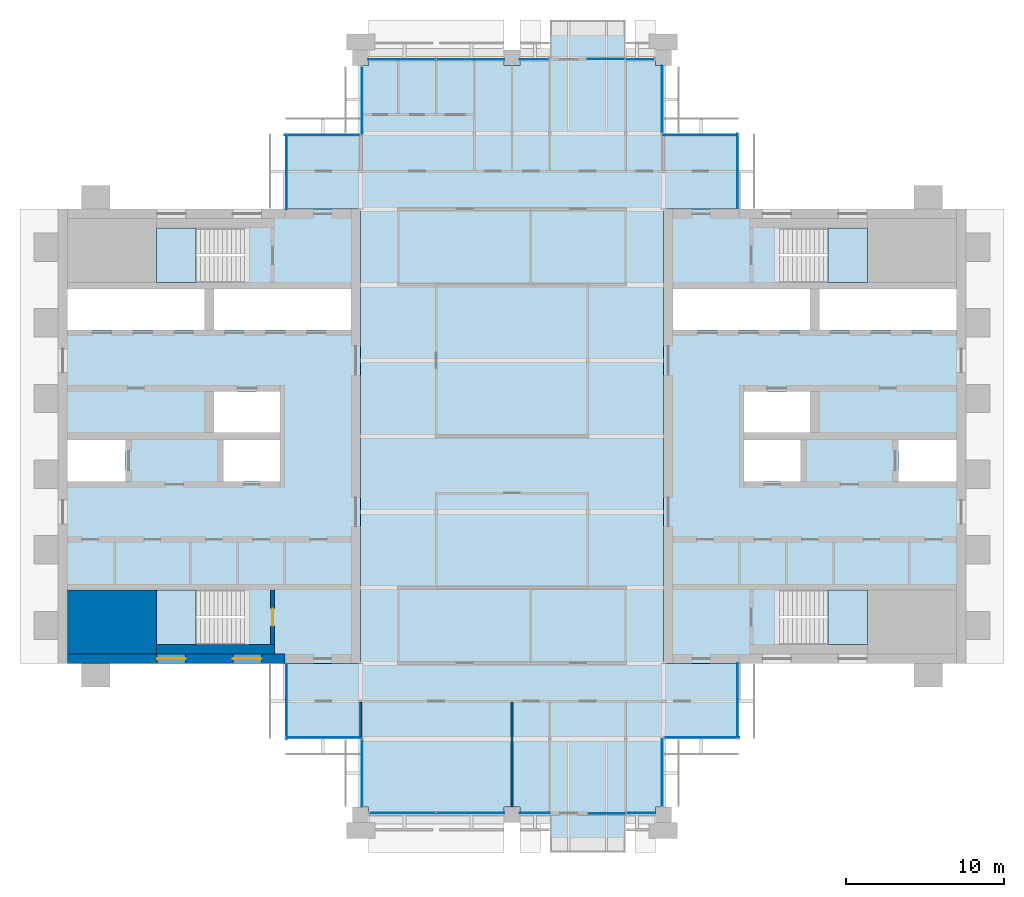
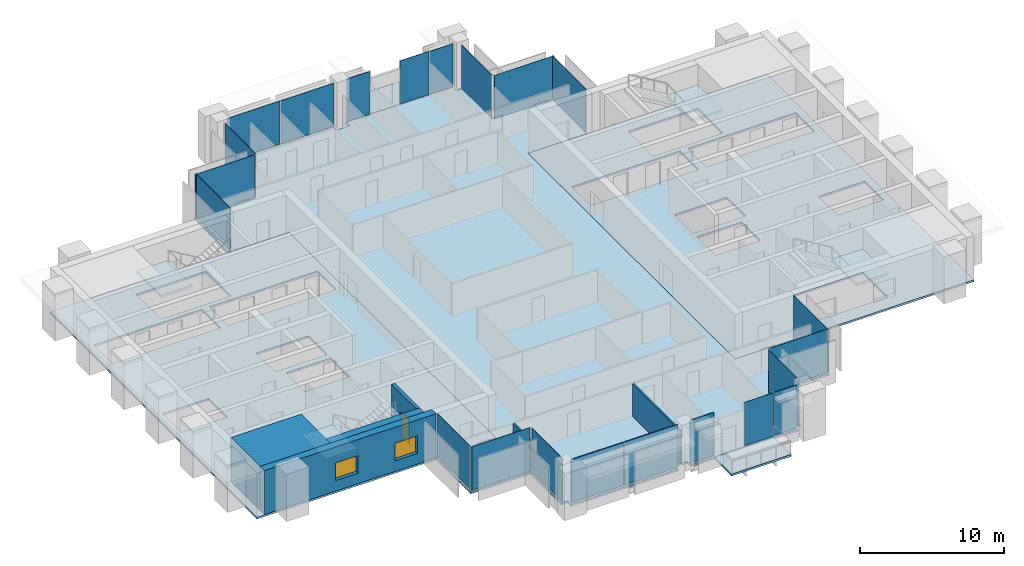
# One storey, part 7 of 13: 22 plates, 9 slabs, 6 walls, 2 windows, 1 door, 3 openings, 22 elements without a shape of their own.
"""IFC4 building model written with IfcOpenShell, lengths in metres."""

from ifc_helpers import new_model, si_unit, direction, frame, frame_2d, origin, origin_2d, place, context, subcontext, project, spatial, polyline, rectangle, outline, extrude, material, layer, layer_set, type_object, element, fill, aggregate, save


model = new_model("IFC4")

# Units and contexts
model_context = context("Model", 3, precision=1e-05, world=origin(), true_north=direction((0.0, 1.0)))
body_context = subcontext(model_context, "Body", "Model", "MODEL_VIEW")
ifc_project = project(units=[si_unit("LENGTHUNIT", "METRE"), si_unit("AREAUNIT", "SQUARE_METRE"), si_unit("VOLUMEUNIT", "CUBIC_METRE"), si_unit("PLANEANGLEUNIT", "RADIAN"), si_unit("MASSUNIT", "GRAM", prefix="KILO")], contexts=[model_context])

# Site, building, storey
site_placement = place(None, origin())
site = spatial("IfcSite", under=ifc_project, at=site_placement, CompositionType="ELEMENT")
building_placement = place(site_placement, origin())
building = spatial("IfcBuilding", under=site, at=building_placement, Name="Baori Bourse Tower", CompositionType="ELEMENT")
storey_placement = place(building_placement, frame((0.0, 0.0, 350.300048828125)))
storey = spatial("IfcBuildingStorey", under=building, at=storey_placement, Name="L78", CompositionType="ELEMENT", Elevation=350.300048828125)

# Slabs
ifc_material_1 = material(Name="Concrete f'c 40 MPa", Category="concrete")
ifc_layer_1 = layer(ifc_material_1, 0.159912109375)
ifc_layer_set_1 = layer_set([ifc_layer_1], Name="BL2 Balcony slab 160")
slab_type_1 = type_object("IfcSlabType", Name="BL2 Balcony slab 160", PredefinedType="FLOOR", material=ifc_layer_set_1)
slab_1_placement = place(storey_placement, frame((0.0, 0.0, -0.16015625)))
element("IfcSlab", 1, at=slab_1_placement, inside=storey, type_object=slab_type_1, Name="Balcony slab L78 S", PredefinedType="FLOOR", context=body_context, shape_type="SweptSolid", body=[
    extrude(outline(polyline([(31.199951171875, 0.0), (31.199951171875, -2.39990234375), (36.0, -2.39990234375), (36.0, 0.0), (31.199951171875, 0.0)])), origin(), (0.0, 0.0, 1.0), 0.16015625),
])
slab_2_placement = place(storey_placement, frame((0.0, 0.0, -0.16015625)))
element("IfcSlab", 2, at=slab_2_placement, inside=storey, type_object=slab_type_1, Name="Balcony slab L78 N", PredefinedType="FLOOR", context=body_context, shape_type="SweptSolid", body=[
    extrude(outline(polyline([(31.199951171875, 48.0), (36.0, 48.0), (36.0, 50.39990234375), (31.199951171875, 50.39990234375), (31.199951171875, 48.0)])), origin(), (0.0, 0.0, 1.0), 0.16015625),
])

# Curtain wall, plate
ifc_material_2 = material(Name="Pale anodised aluminium", Category="aluminium")
curtain_wall_type_1 = type_object("IfcCurtainWallType", Name="CW2 Curtain wall", PredefinedType="NOTDEFINED", material=ifc_material_2)
curtain_wall_1_placement = place(storey_placement, origin())
curtain_wall_1 = element("IfcCurtainWall", 3, at=curtain_wall_1_placement, inside=storey, type_object=curtain_wall_type_1, Name="Curtain wall CW2 L78 1", PredefinedType="NOTDEFINED")
ifc_material_3 = material(Name="Clear glass", Category="glass")
ifc_layer_2 = layer(ifc_material_3, 0.030029296875)
ifc_layer_set_2 = layer_set([ifc_layer_2], Name="CW2 Curtain wall panel")
plate_type_1 = type_object("IfcPlateType", Name="CW2 Curtain wall panel", PredefinedType="CURTAIN_PANEL", material=ifc_layer_set_2)
plate_1_placement = place(storey_placement, frame((43.110107421875, 40.827392578125, 0.06982421875), z_axis=(0.0, 0.0, 1.0), x_axis=(0.0, 1.0, 0.0)))
plate_1 = element("IfcPlate", 4, at=plate_1_placement, type_object=plate_type_1, Name="Curtain wall CW2 panel", PredefinedType="CURTAIN_PANEL", context=body_context, shape_type="SweptSolid", body=[
    extrude(rectangle(XDim=4.7451171875, YDim=0.030029296875, at=origin_2d()), origin(), (0.0, 0.0, 1.0), 3.679931640625),
])
aggregate(curtain_wall_1, [plate_1])

curtain_wall_2_placement = place(storey_placement, origin())
curtain_wall_2 = element("IfcCurtainWall", 5, at=curtain_wall_2_placement, inside=storey, type_object=curtain_wall_type_1, Name="Curtain wall CW2 L78 2", PredefinedType="NOTDEFINED")
plate_2_placement = place(storey_placement, frame((40.7724609375, 43.110107421875, 0.06982421875), z_axis=(0.0, 0.0, 1.0), x_axis=(-1.0, 0.0, 0.0)))
plate_2 = element("IfcPlate", 6, at=plate_2_placement, type_object=plate_type_1, Name="Curtain wall CW2 panel", PredefinedType="CURTAIN_PANEL", context=body_context, shape_type="SweptSolid", body=[
    extrude(rectangle(XDim=4.7451171875, YDim=0.030029296875, at=origin_2d()), origin(), (0.0, 0.0, 1.0), 3.679931640625),
])
aggregate(curtain_wall_2, [plate_2])

curtain_wall_3_placement = place(storey_placement, origin())
curtain_wall_3 = element("IfcCurtainWall", 7, at=curtain_wall_3_placement, inside=storey, type_object=curtain_wall_type_1, Name="Curtain wall CW2 L78 3", PredefinedType="NOTDEFINED")
plate_3_placement = place(storey_placement, frame((38.31005859375, 45.37744140625, 0.06982421875), z_axis=(0.0, 0.0, 1.0), x_axis=(0.0, 1.0, 0.0)))
plate_3 = element("IfcPlate", 8, at=plate_3_placement, type_object=plate_type_1, Name="Curtain wall CW2 panel", PredefinedType="CURTAIN_PANEL", context=body_context, shape_type="SweptSolid", body=[
    extrude(rectangle(XDim=4.2451171875, YDim=0.030029296875, at=origin_2d()), origin(), (0.0, 0.0, 1.0), 3.679931640625),
])
aggregate(curtain_wall_3, [plate_3])

curtain_wall_4_placement = place(storey_placement, origin())
curtain_wall_4 = element("IfcCurtainWall", 9, at=curtain_wall_4_placement, inside=storey, type_object=curtain_wall_type_1, Name="Curtain wall CW2 L78 7", PredefinedType="NOTDEFINED")
plate_4_placement = place(storey_placement, frame((19.2900390625, 45.322509765625, 0.06982421875), z_axis=(0.0, 0.0, 1.0), x_axis=(0.0, -1.0, 0.0)))
plate_4 = element("IfcPlate", 10, at=plate_4_placement, type_object=plate_type_1, Name="Curtain wall CW2 panel", PredefinedType="CURTAIN_PANEL", context=body_context, shape_type="SweptSolid", body=[
    extrude(rectangle(XDim=4.2451171875, YDim=0.030029296875, at=origin_2d()), origin(), (0.0, 0.0, 1.0), 3.679931640625),
])
aggregate(curtain_wall_4, [plate_4])

curtain_wall_5_placement = place(storey_placement, origin())
curtain_wall_5 = element("IfcCurtainWall", 11, at=curtain_wall_5_placement, inside=storey, type_object=curtain_wall_type_1, Name="Curtain wall CW2 L78 8", PredefinedType="NOTDEFINED")
plate_5_placement = place(storey_placement, frame((16.7724609375, 43.110107421875, 0.06982421875), z_axis=(0.0, 0.0, 1.0), x_axis=(-1.0, 0.0, 0.0)))
plate_5 = element("IfcPlate", 12, at=plate_5_placement, type_object=plate_type_1, Name="Curtain wall CW2 panel", PredefinedType="CURTAIN_PANEL", context=body_context, shape_type="SweptSolid", body=[
    extrude(rectangle(XDim=4.7451171875, YDim=0.030029296875, at=origin_2d()), origin(), (0.0, 0.0, 1.0), 3.679931640625),
])
aggregate(curtain_wall_5, [plate_5])

curtain_wall_6_placement = place(storey_placement, origin())
curtain_wall_6 = element("IfcCurtainWall", 13, at=curtain_wall_6_placement, inside=storey, type_object=curtain_wall_type_1, Name="Curtain wall CW2 L78 9", PredefinedType="NOTDEFINED")
plate_6_placement = place(storey_placement, frame((14.489990234375, 40.7724609375, 0.06982421875), z_axis=(0.0, 0.0, 1.0), x_axis=(0.0, -1.0, 0.0)))
plate_6 = element("IfcPlate", 14, at=plate_6_placement, type_object=plate_type_1, Name="Curtain wall CW2 panel", PredefinedType="CURTAIN_PANEL", context=body_context, shape_type="SweptSolid", body=[
    extrude(rectangle(XDim=4.7451171875, YDim=0.030029296875, at=origin_2d()), origin(), (0.0, 0.0, 1.0), 3.679931640625),
])
aggregate(curtain_wall_6, [plate_6])

curtain_wall_7_placement = place(storey_placement, origin())
curtain_wall_7 = element("IfcCurtainWall", 15, at=curtain_wall_7_placement, inside=storey, type_object=curtain_wall_type_1, Name="Curtain wall CW2 L78 10", PredefinedType="NOTDEFINED")
plate_7_placement = place(storey_placement, frame((14.489990234375, 7.172607421875, 0.06982421875), z_axis=(0.0, 0.0, 1.0), x_axis=(0.0, -1.0, 0.0)))
plate_7 = element("IfcPlate", 16, at=plate_7_placement, type_object=plate_type_1, Name="Curtain wall CW2 panel", PredefinedType="CURTAIN_PANEL", context=body_context, shape_type="SweptSolid", body=[
    extrude(rectangle(XDim=4.7451171875, YDim=0.030029296875, at=origin_2d()), origin(), (0.0, 0.0, 1.0), 3.679931640625),
])
aggregate(curtain_wall_7, [plate_7])

curtain_wall_8_placement = place(storey_placement, origin())
curtain_wall_8 = element("IfcCurtainWall", 17, at=curtain_wall_8_placement, inside=storey, type_object=curtain_wall_type_1, Name="Curtain wall CW2 L78 11", PredefinedType="NOTDEFINED")
plate_8_placement = place(storey_placement, frame((16.827392578125, 4.889892578125, 0.06982421875), z_axis=(0.0, 0.0, 1.0), x_axis=(1.0, 0.0, 0.0)))
plate_8 = element("IfcPlate", 18, at=plate_8_placement, type_object=plate_type_1, Name="Curtain wall CW2 panel", PredefinedType="CURTAIN_PANEL", context=body_context, shape_type="SweptSolid", body=[
    extrude(rectangle(XDim=4.7451171875, YDim=0.030029296875, at=origin_2d()), origin(), (0.0, 0.0, 1.0), 3.679931640625),
])
aggregate(curtain_wall_8, [plate_8])

curtain_wall_9_placement = place(storey_placement, origin())
curtain_wall_9 = element("IfcCurtainWall", 19, at=curtain_wall_9_placement, inside=storey, type_object=curtain_wall_type_1, Name="Curtain wall CW2 L78 12", PredefinedType="NOTDEFINED")
plate_9_placement = place(storey_placement, frame((19.2900390625, 2.62255859375, 0.06982421875), z_axis=(0.0, 0.0, 1.0), x_axis=(0.0, -1.0, 0.0)))
plate_9 = element("IfcPlate", 20, at=plate_9_placement, type_object=plate_type_1, Name="Curtain wall CW2 panel", PredefinedType="CURTAIN_PANEL", context=body_context, shape_type="SweptSolid", body=[
    extrude(rectangle(XDim=4.2451171875, YDim=0.030029296875, at=origin_2d()), origin(), (0.0, 0.0, 1.0), 3.679931640625),
])
aggregate(curtain_wall_9, [plate_9])

curtain_wall_10_placement = place(storey_placement, origin())
curtain_wall_10 = element("IfcCurtainWall", 21, at=curtain_wall_10_placement, inside=storey, type_object=curtain_wall_type_1, Name="Curtain wall CW2 L78 16", PredefinedType="NOTDEFINED")
plate_10_placement = place(storey_placement, frame((38.31005859375, 2.677490234375, 0.06982421875), z_axis=(0.0, 0.0, 1.0), x_axis=(0.0, 1.0, 0.0)))
plate_10 = element("IfcPlate", 22, at=plate_10_placement, type_object=plate_type_1, Name="Curtain wall CW2 panel", PredefinedType="CURTAIN_PANEL", context=body_context, shape_type="SweptSolid", body=[
    extrude(rectangle(XDim=4.2451171875, YDim=0.030029296875, at=origin_2d()), origin(), (0.0, 0.0, 1.0), 3.679931640625),
])
aggregate(curtain_wall_10, [plate_10])

curtain_wall_11_placement = place(storey_placement, origin())
curtain_wall_11 = element("IfcCurtainWall", 23, at=curtain_wall_11_placement, inside=storey, type_object=curtain_wall_type_1, Name="Curtain wall CW2 L78 17", PredefinedType="NOTDEFINED")
plate_11_placement = place(storey_placement, frame((40.827392578125, 4.889892578125, 0.06982421875), z_axis=(0.0, 0.0, 1.0), x_axis=(1.0, 0.0, 0.0)))
plate_11 = element("IfcPlate", 24, at=plate_11_placement, type_object=plate_type_1, Name="Curtain wall CW2 panel", PredefinedType="CURTAIN_PANEL", context=body_context, shape_type="SweptSolid", body=[
    extrude(rectangle(XDim=4.7451171875, YDim=0.030029296875, at=origin_2d()), origin(), (0.0, 0.0, 1.0), 3.679931640625),
])
aggregate(curtain_wall_11, [plate_11])

curtain_wall_12_placement = place(storey_placement, origin())
curtain_wall_12 = element("IfcCurtainWall", 25, at=curtain_wall_12_placement, inside=storey, type_object=curtain_wall_type_1, Name="Curtain wall CW2 L78 18", PredefinedType="NOTDEFINED")
plate_12_placement = place(storey_placement, frame((43.110107421875, 7.2275390625, 0.06982421875), z_axis=(0.0, 0.0, 1.0), x_axis=(0.0, 1.0, 0.0)))
plate_12 = element("IfcPlate", 26, at=plate_12_placement, type_object=plate_type_1, Name="Curtain wall CW2 panel", PredefinedType="CURTAIN_PANEL", context=body_context, shape_type="SweptSolid", body=[
    extrude(rectangle(XDim=4.7451171875, YDim=0.030029296875, at=origin_2d()), origin(), (0.0, 0.0, 1.0), 3.679931640625),
])
aggregate(curtain_wall_12, [plate_12])

ifc_material_4 = material(Name="Pale anodised aluminium", Category="aluminium")
curtain_wall_type_2 = type_object("IfcCurtainWallType", Name="CW5 Curtain wall", PredefinedType="NOTDEFINED", material=ifc_material_4)
curtain_wall_13_placement = place(storey_placement, origin())
curtain_wall_13 = element("IfcCurtainWall", 27, at=curtain_wall_13_placement, inside=storey, type_object=curtain_wall_type_2, Name="Curtain wall CW5 L78 4", PredefinedType="NOTDEFINED")
ifc_material_5 = material(Name="Clear glass", Category="glass")
ifc_layer_3 = layer(ifc_material_5, 0.035888671875)
ifc_layer_set_3 = layer_set([ifc_layer_3], Name="CW5 Curtain wall panel")
plate_type_2 = type_object("IfcPlateType", Name="CW5 Curtain wall panel", PredefinedType="CURTAIN_PANEL", material=ifc_layer_set_3)
plate_13_placement = place(storey_placement, frame((36.91748046875, 47.889892578125, 0.0849609375), z_axis=(0.0, 0.0, 1.0), x_axis=(-1.0, 0.0, 0.0)))
plate_13 = element("IfcPlate", 28, at=plate_13_placement, type_object=plate_type_2, Name="Curtain wall CW5 panel", PredefinedType="CURTAIN_PANEL", context=body_context, shape_type="SweptSolid", body=[
    extrude(rectangle(XDim=1.8349609375, YDim=0.035888671875, at=origin_2d()), origin(), (0.0, 0.0, 1.0), 3.6650390625),
])
aggregate(curtain_wall_13, [plate_13])

# Curtain wall, plates
curtain_wall_14_placement = place(storey_placement, origin())
curtain_wall_14 = element("IfcCurtainWall", 29, at=curtain_wall_14_placement, inside=storey, type_object=curtain_wall_type_2, Name="Curtain wall CW5 L78 6", PredefinedType="NOTDEFINED")
plate_14_placement = place(storey_placement, frame((30.217529296875, 47.889892578125, 0.0849609375), z_axis=(0.0, 0.0, 1.0), x_axis=(-1.0, 0.0, 0.0)))
plate_14 = element("IfcPlate", 30, at=plate_14_placement, type_object=plate_type_2, Name="Curtain wall CW5 panel", PredefinedType="CURTAIN_PANEL", context=body_context, shape_type="SweptSolid", body=[
    extrude(rectangle(XDim=1.8349609375, YDim=0.035888671875, at=origin_2d()), origin(), (0.0, 0.0, 1.0), 3.6650390625),
])
plate_15_placement = place(storey_placement, frame((26.166259765625, 47.889892578125, 0.0849609375), z_axis=(0.0, 0.0, 1.0), x_axis=(-1.0, 0.0, 0.0)))
plate_15 = element("IfcPlate", 31, at=plate_15_placement, type_object=plate_type_2, Name="Curtain wall CW5 panel", PredefinedType="CURTAIN_PANEL", context=body_context, shape_type="SweptSolid", body=[
    extrude(rectangle(XDim=4.267578125, YDim=0.035888671875, at=origin_2d()), origin(), (0.0, 0.0, 1.0), 3.6650390625),
])
plate_16_placement = place(storey_placement, frame((21.833740234375, 47.889892578125, 0.0849609375), z_axis=(0.0, 0.0, 1.0), x_axis=(-1.0, 0.0, 0.0)))
plate_16 = element("IfcPlate", 32, at=plate_16_placement, type_object=plate_type_2, Name="Curtain wall CW5 panel", PredefinedType="CURTAIN_PANEL", context=body_context, shape_type="SweptSolid", body=[
    extrude(rectangle(XDim=4.267578125, YDim=0.035888671875, at=origin_2d()), origin(), (0.0, 0.0, 1.0), 3.6650390625),
])
aggregate(curtain_wall_14, [plate_14, plate_15, plate_16])

curtain_wall_15_placement = place(storey_placement, origin())
curtain_wall_15 = element("IfcCurtainWall", 33, at=curtain_wall_15_placement, inside=storey, type_object=curtain_wall_type_2, Name="Curtain wall CW5 L78 13", PredefinedType="NOTDEFINED")
plate_17_placement = place(storey_placement, frame((21.8662109375, 0.110107421875, 0.0849609375), z_axis=(0.0, 0.0, 1.0), x_axis=(1.0, 0.0, 0.0)))
plate_17 = element("IfcPlate", 34, at=plate_17_placement, type_object=plate_type_2, Name="Curtain wall CW5 panel", PredefinedType="CURTAIN_PANEL", context=body_context, shape_type="SweptSolid", body=[
    extrude(rectangle(XDim=4.202392578125, YDim=0.035888671875, at=origin_2d()), origin(), (0.0, 0.0, 1.0), 3.6650390625),
])
plate_18_placement = place(storey_placement, frame((26.166259765625, 0.110107421875, 0.0849609375), z_axis=(0.0, 0.0, 1.0), x_axis=(1.0, 0.0, 0.0)))
plate_18 = element("IfcPlate", 35, at=plate_18_placement, type_object=plate_type_2, Name="Curtain wall CW5 panel", PredefinedType="CURTAIN_PANEL", context=body_context, shape_type="SweptSolid", body=[
    extrude(rectangle(XDim=4.267578125, YDim=0.035888671875, at=origin_2d()), origin(), (0.0, 0.0, 1.0), 3.6650390625),
])
plate_19_placement = place(storey_placement, frame((30.25, 0.110107421875, 0.0849609375), z_axis=(0.0, 0.0, 1.0), x_axis=(1.0, 0.0, 0.0)))
plate_19 = element("IfcPlate", 36, at=plate_19_placement, type_object=plate_type_2, Name="Curtain wall CW5 panel", PredefinedType="CURTAIN_PANEL", context=body_context, shape_type="SweptSolid", body=[
    extrude(rectangle(XDim=1.89990234375, YDim=0.035888671875, at=origin_2d()), origin(), (0.0, 0.0, 1.0), 3.6650390625),
])
aggregate(curtain_wall_15, [plate_17, plate_18, plate_19])

# Curtain wall, plate
curtain_wall_16_placement = place(storey_placement, origin())
curtain_wall_16 = element("IfcCurtainWall", 37, at=curtain_wall_16_placement, inside=storey, type_object=curtain_wall_type_2, Name="Curtain wall CW5 L78 15", PredefinedType="NOTDEFINED")
plate_20_placement = place(storey_placement, frame((36.982421875, 0.110107421875, 0.0849609375), z_axis=(0.0, 0.0, 1.0), x_axis=(1.0, 0.0, 0.0)))
plate_20 = element("IfcPlate", 38, at=plate_20_placement, type_object=plate_type_2, Name="Curtain wall CW5 panel", PredefinedType="CURTAIN_PANEL", context=body_context, shape_type="SweptSolid", body=[
    extrude(rectangle(XDim=1.8349609375, YDim=0.035888671875, at=origin_2d()), origin(), (0.0, 0.0, 1.0), 3.6650390625),
])
aggregate(curtain_wall_16, [plate_20])

ifc_material_6 = material(Name="Pale anodised aluminium", Category="aluminium")
curtain_wall_type_3 = type_object("IfcCurtainWallType", Name="CW6 Curtain wall", PredefinedType="NOTDEFINED", material=ifc_material_6)
curtain_wall_17_placement = place(storey_placement, origin())
curtain_wall_17 = element("IfcCurtainWall", 39, at=curtain_wall_17_placement, inside=storey, type_object=curtain_wall_type_3, Name="Curtain wall CW6 L78 5", PredefinedType="NOTDEFINED")
ifc_material_7 = material(Name="Clear glass", Category="glass")
ifc_layer_4 = layer(ifc_material_7, 0.028076171875)
ifc_layer_set_4 = layer_set([ifc_layer_4], Name="CW6 Curtain wall panel")
plate_type_3 = type_object("IfcPlateType", Name="CW6 Curtain wall panel", PredefinedType="CURTAIN_PANEL", material=ifc_layer_set_4)
plate_21_placement = place(storey_placement, frame((34.77490234375, 47.925048828125, 0.06494140625), z_axis=(0.0, 0.0, 1.0), x_axis=(-1.0, 0.0, 0.0)))
plate_21 = element("IfcPlate", 40, at=plate_21_placement, type_object=plate_type_3, Name="Curtain wall CW6 panel", PredefinedType="CURTAIN_PANEL", context=body_context, shape_type="SweptSolid", body=[
    extrude(rectangle(XDim=2.35009765625, YDim=0.028076171875, at=origin_2d()), origin(), (0.0, 0.0, 1.0), 3.68505859375),
])
aggregate(curtain_wall_17, [plate_21])

curtain_wall_18_placement = place(storey_placement, origin())
curtain_wall_18 = element("IfcCurtainWall", 41, at=curtain_wall_18_placement, inside=storey, type_object=curtain_wall_type_3, Name="Curtain wall CW6 L78 14", PredefinedType="NOTDEFINED")
plate_22_placement = place(storey_placement, frame((34.824951171875, 0.074951171875, 0.06494140625), z_axis=(0.0, 0.0, 1.0), x_axis=(1.0, 0.0, 0.0)))
plate_22 = element("IfcPlate", 42, at=plate_22_placement, type_object=plate_type_3, Name="Curtain wall CW6 panel", PredefinedType="CURTAIN_PANEL", context=body_context, shape_type="SweptSolid", body=[
    extrude(rectangle(XDim=2.35009765625, YDim=0.028076171875, at=origin_2d()), origin(), (0.0, 0.0, 1.0), 3.68505859375),
])
aggregate(curtain_wall_18, [plate_22])

# Slabs
ifc_material_8 = material(Name="Concrete f'c 50 MPa", Category="concrete")
ifc_layer_5 = layer(ifc_material_8, 0.159912109375)
ifc_layer_set_5 = layer_set([ifc_layer_5], Name="Core slab 160")
slab_type_2 = type_object("IfcSlabType", Name="Core slab 160", PredefinedType="FLOOR", material=ifc_layer_set_5)
slab_3_placement = place(storey_placement, frame((0.0, 0.0, -0.16015625)))
element("IfcSlab", 43, at=slab_3_placement, inside=storey, type_object=slab_type_2, Name="Core floor slab W01", PredefinedType="FLOOR", context=body_context, shape_type="SweptSolid", body=[
    extrude(outline(polyline([(19.199951171875, 38.39990234375), (0.0, 38.39990234375), (0.0, 9.60009765625), (19.199951171875, 9.60009765625), (19.199951171875, 38.39990234375)]), holes=[polyline([(9.89990234375, 33.35009765625), (18.60009765625, 33.35009765625), (18.60009765625, 30.75), (9.89990234375, 30.75), (9.89990234375, 33.35009765625)]), polyline([(10.5, 21.14990234375), (10.5, 23.75), (14.10009765625, 23.75), (14.10009765625, 21.14990234375), (10.5, 21.14990234375)]), polyline([(14.10009765625, 24.25), (9.89990234375, 24.25), (9.89990234375, 26.85009765625), (14.10009765625, 26.85009765625), (14.10009765625, 24.25)]), polyline([(6.25, 14.25), (11.84912109375, 14.25), (11.84912109375, 10.800048828125), (6.25, 10.800048828125), (6.25, 14.25)]), polyline([(11.84912109375, 37.199951171875), (11.84912109375, 33.75), (6.25, 33.75), (6.25, 37.199951171875), (11.84912109375, 37.199951171875)]), polyline([(0.60009765625, 30.75), (0.60009765625, 33.35009765625), (9.300048828125, 33.35009765625), (9.300048828125, 30.75), (0.60009765625, 30.75)]), polyline([(4.300048828125, 23.75), (4.300048828125, 21.14990234375), (0.60009765625, 21.14990234375), (0.60009765625, 23.75), (4.300048828125, 23.75)])]), origin(), (0.0, 0.0, 1.0), 0.16015625),
])
slab_4_placement = place(storey_placement, frame((0.0, 0.0, -0.16015625)))
element("IfcSlab", 44, at=slab_4_placement, inside=storey, type_object=slab_type_2, Name="Core floor slab E01", PredefinedType="FLOOR", context=body_context, shape_type="SweptSolid", body=[
    extrude(outline(polyline([(57.60009765625, 9.60009765625), (57.60009765625, 38.39990234375), (38.39990234375, 38.39990234375), (38.39990234375, 9.60009765625), (57.60009765625, 9.60009765625)]), holes=[polyline([(48.300048828125, 33.35009765625), (57.0, 33.35009765625), (57.0, 30.75), (48.300048828125, 30.75), (48.300048828125, 33.35009765625)]), polyline([(57.0, 21.14990234375), (53.300048828125, 21.14990234375), (53.300048828125, 23.75), (57.0, 23.75), (57.0, 21.14990234375)]), polyline([(45.750732421875, 14.25), (51.35009765625, 14.25), (51.35009765625, 10.800048828125), (45.750732421875, 10.800048828125), (45.750732421875, 14.25)]), polyline([(51.35009765625, 37.199951171875), (51.35009765625, 33.75), (45.750732421875, 33.75), (45.750732421875, 37.199951171875), (51.35009765625, 37.199951171875)]), polyline([(43.5, 24.25), (43.5, 26.85009765625), (47.699951171875, 26.85009765625), (47.699951171875, 24.25), (43.5, 24.25)]), polyline([(47.699951171875, 33.35009765625), (47.699951171875, 30.75), (39.0, 30.75), (39.0, 33.35009765625), (47.699951171875, 33.35009765625)]), polyline([(43.5, 23.75), (47.10009765625, 23.75), (47.10009765625, 21.14990234375), (43.5, 21.14990234375), (43.5, 23.75)])]), origin(), (0.0, 0.0, 1.0), 0.16015625),
])

# Stair, slab
ifc_material_9 = material(Name="Concrete f'c 50 MPa", Category="concrete")
stair_type = type_object("IfcStairType", Name="Core stair", PredefinedType="HALF_TURN_STAIR", material=ifc_material_9)
stair_1_placement = place(storey_placement, origin())
stair_1 = element("IfcStair", 45, at=stair_1_placement, inside=storey, type_object=stair_type, Name="L78 Stair WA", PredefinedType="HALF_TURN_STAIR")
ifc_material_10 = material(Name="Concrete f'c 50 MPa", Category="concrete")
slab_type_3 = type_object("IfcSlabType", Name="Core stair landing", PredefinedType="LANDING", material=ifc_material_10)
slab_5_placement = place(storey_placement, frame((0.0, 0.0, 1.800048828125)))
slab_5 = element("IfcSlab", 46, at=slab_5_placement, type_object=slab_type_3, Name="ST1 landing 1", PredefinedType="LANDING", context=body_context, shape_type="SweptSolid", body=[
    extrude(outline(polyline([(8.77001953125, 14.25), (6.25, 14.25), (6.25, 10.800048828125), (8.77001953125, 10.800048828125), (8.77001953125, 14.25)])), origin(), (0.0, 0.0, 1.0), 0.199951171875),
])
aggregate(stair_1, [slab_5])

stair_2_placement = place(storey_placement, origin())
stair_2 = element("IfcStair", 47, at=stair_2_placement, inside=storey, type_object=stair_type, Name="L78 Stair WB", PredefinedType="HALF_TURN_STAIR")
slab_6_placement = place(storey_placement, frame((0.0, 0.0, 1.800048828125)))
slab_6 = element("IfcSlab", 48, at=slab_6_placement, type_object=slab_type_3, Name="ST2 landing 1", PredefinedType="LANDING", context=body_context, shape_type="SweptSolid", body=[
    extrude(outline(polyline([(8.77001953125, 37.199951171875), (6.25, 37.199951171875), (6.25, 33.75), (8.77001953125, 33.75), (8.77001953125, 37.199951171875)])), origin(), (0.0, 0.0, 1.0), 0.199951171875),
])
aggregate(stair_2, [slab_6])

stair_3_placement = place(storey_placement, origin())
stair_3 = element("IfcStair", 49, at=stair_3_placement, inside=storey, type_object=stair_type, Name="L78 Stair EA", PredefinedType="HALF_TURN_STAIR")
slab_7_placement = place(storey_placement, frame((0.0, 0.0, 1.800048828125)))
slab_7 = element("IfcSlab", 50, at=slab_7_placement, type_object=slab_type_3, Name="ST3 landing 1", PredefinedType="LANDING", context=body_context, shape_type="SweptSolid", body=[
    extrude(outline(polyline([(48.830078125, 10.800048828125), (51.35009765625, 10.800048828125), (51.35009765625, 14.25), (48.830078125, 14.25), (48.830078125, 10.800048828125)])), origin(), (0.0, 0.0, 1.0), 0.199951171875),
])
aggregate(stair_3, [slab_7])

stair_4_placement = place(storey_placement, origin())
stair_4 = element("IfcStair", 51, at=stair_4_placement, inside=storey, type_object=stair_type, Name="L78 Stair EB", PredefinedType="HALF_TURN_STAIR")
slab_8_placement = place(storey_placement, frame((0.0, 0.0, 1.800048828125)))
slab_8 = element("IfcSlab", 52, at=slab_8_placement, type_object=slab_type_3, Name="ST4 landing 1", PredefinedType="LANDING", context=body_context, shape_type="SweptSolid", body=[
    extrude(outline(polyline([(48.830078125, 33.75), (51.35009765625, 33.75), (51.35009765625, 37.199951171875), (48.830078125, 37.199951171875), (48.830078125, 33.75)])), origin(), (0.0, 0.0, 1.0), 0.199951171875),
])
aggregate(stair_4, [slab_8])

# Slab
ifc_material_11 = material(Name="Concrete f'c 40 MPa", Category="concrete")
ifc_layer_6 = layer(ifc_material_11, 0.159912109375)
ifc_layer_set_6 = layer_set([ifc_layer_6], Name="Floor slab 160")
slab_type_4 = type_object("IfcSlabType", Name="Floor slab 160", PredefinedType="FLOOR", material=ifc_layer_set_6)
slab_9_placement = place(storey_placement, frame((0.0, 0.0, -0.16015625)))
element("IfcSlab", 53, at=slab_9_placement, inside=storey, type_object=slab_type_4, Name="Floor slab L78", PredefinedType="FLOOR", context=body_context, shape_type="SweptSolid", body=[
    extrude(outline(polyline([(19.199951171875, 4.800048828125), (14.39990234375, 4.800048828125), (14.39990234375, 9.60009765625), (19.199951171875, 9.60009765625), (19.199951171875, 38.39990234375), (14.39990234375, 38.39990234375), (14.39990234375, 43.199951171875), (19.199951171875, 43.199951171875), (19.199951171875, 47.5), (19.699951171875, 47.5), (19.699951171875, 48.0), (28.300048828125, 48.0), (28.300048828125, 47.5), (29.300048828125, 47.5), (29.300048828125, 48.0), (37.89990234375, 48.0), (37.89990234375, 47.5), (38.39990234375, 47.5), (38.39990234375, 43.199951171875), (43.199951171875, 43.199951171875), (43.199951171875, 38.39990234375), (38.39990234375, 38.39990234375), (38.39990234375, 9.60009765625), (43.199951171875, 9.60009765625), (43.199951171875, 4.800048828125), (38.39990234375, 4.800048828125), (38.39990234375, 0.5), (37.89990234375, 0.5), (37.89990234375, 0.0), (29.300048828125, 0.0), (29.300048828125, 0.5), (28.300048828125, 0.5), (28.300048828125, 0.0), (19.699951171875, 0.0), (19.699951171875, 0.5), (19.199951171875, 0.5), (19.199951171875, 4.800048828125)])), origin(), (0.0, 0.0, 1.0), 0.16015625),
])

# Wall
ifc_material_12 = material(Name="Concrete f'c 40 MPa", Category="concrete")
wall_type_1 = type_object("IfcWallType", Name="Core corner block f'c 40", PredefinedType="SHEAR", material=ifc_material_12)
wall_1_placement = place(storey_placement, frame((0.60009765625, 12.22509765625, 0.0), z_axis=(0.0, 0.0, 1.0), x_axis=(1.0, 0.0, 0.0)))
element("IfcWall", 54, at=wall_1_placement, inside=storey, type_object=wall_type_1, Name="Core wall W05", PredefinedType="SHEAR", context=body_context, shape_type="SweptSolid", body=[
    extrude(rectangle(XDim=5.64990234375, YDim=4.050048828125, at=frame_2d((2.824951171875, 0.0))), origin(), (0.0, 0.0, 1.0), 3.75),
])

# Wall, openings, windows
ifc_material_13 = material(Name="Concrete f'c 40 MPa", Category="concrete")
ifc_layer_7 = layer(ifc_material_13, 0.60009765625)
ifc_layer_set_7 = layer_set([ifc_layer_7], Name="Core wall 600 f'c 40")
wall_type_2 = type_object("IfcWallType", Name="Core wall 600 f'c 40", PredefinedType="SHEAR", material=ifc_layer_set_7)
wall_2_placement = place(storey_placement, frame((14.39990234375, 9.89990234375, 0.0), z_axis=(0.0, 0.0, 1.0), x_axis=(-1.0, 0.0, 0.0)))
wall_2 = element("IfcWall", 55, at=wall_2_placement, inside=storey, type_object=wall_type_2, Name="Core wall W02", PredefinedType="SHEAR", context=body_context, shape_type="SweptSolid", body=[
    extrude(rectangle(XDim=13.7998046875, YDim=0.60009765625, at=frame_2d((6.89990234375, 0.0))), origin(), (0.0, 0.0, 1.0), 3.75),
])
opening_1_placement = place(wall_2_placement, frame((6.300048828125, 0.0, 0.89990234375)))
opening_1 = element("IfcOpeningElement", 56, at=opening_1_placement, cuts=wall_2, Name="Opening L78-KW103", PredefinedType="OPENING", context=body_context, shape_type="SweptSolid", body=[
    extrude(rectangle(XDim=1.800048828125, YDim=1.5, at=frame_2d((0.89990234375, 0.75))), frame((0.0, 0.31005859375, 0.0), z_axis=(0.0, -1.0, 0.0), x_axis=(1.0, 0.0, 0.0)), (0.0, 0.0, 1.0), 0.6201171875),
])
opening_2_placement = place(wall_2_placement, frame((1.5, 0.0, 0.89990234375)))
opening_2 = element("IfcOpeningElement", 57, at=opening_2_placement, cuts=wall_2, Name="Opening L78-KW104", PredefinedType="OPENING", context=body_context, shape_type="SweptSolid", body=[
    extrude(rectangle(XDim=1.800048828125, YDim=1.5, at=frame_2d((0.89990234375, 0.75))), frame((0.0, 0.31005859375, 0.0), z_axis=(0.0, -1.0, 0.0), x_axis=(1.0, 0.0, 0.0)), (0.0, 0.0, 1.0), 0.6201171875),
])
ifc_material_14 = material(Name="Pale anodised aluminium", Category="aluminium")
window_type = type_object("IfcWindowType", Name="Stair window 1800 x 1500", PartitioningType="SINGLE_PANEL", PredefinedType="WINDOW", material=ifc_material_14)
window_1_placement = place(opening_1_placement, origin())
window_1 = element("IfcWindow", 58, at=window_1_placement, inside=storey, type_object=window_type, Name="Stair window W L78 3", OverallHeight=1.5, OverallWidth=1.800048828125, PartitioningType="SINGLE_PANEL", PredefinedType="WINDOW", context=body_context, shape_type="SweptSolid", body=[
    extrude(rectangle(XDim=1.800048828125, YDim=1.5, at=frame_2d((0.89990234375, 0.75))), frame((0.0, 0.030029296875, 0.0), z_axis=(0.0, -1.0, 0.0), x_axis=(1.0, 0.0, 0.0)), (0.0, 0.0, 1.0), 0.06005859375),
])
fill(opening_1, window_1)
window_2_placement = place(opening_2_placement, origin())
window_2 = element("IfcWindow", 59, at=window_2_placement, inside=storey, type_object=window_type, Name="Stair window W L78 4", OverallHeight=1.5, OverallWidth=1.800048828125, PartitioningType="SINGLE_PANEL", PredefinedType="WINDOW", context=body_context, shape_type="SweptSolid", body=[
    extrude(rectangle(XDim=1.800048828125, YDim=1.5, at=frame_2d((0.89990234375, 0.75))), frame((0.0, 0.030029296875, 0.0), z_axis=(0.0, -1.0, 0.0), x_axis=(1.0, 0.0, 0.0)), (0.0, 0.0, 1.0), 0.06005859375),
])
fill(opening_2, window_2)

# Walls
ifc_material_15 = material(Name="Gypsum board partition")
ifc_layer_8 = layer(ifc_material_15, 0.125)
ifc_layer_set_8 = layer_set([ifc_layer_8], Name="Partition 125")
wall_type_3 = type_object("IfcWallType", Name="Partition 125", PredefinedType="PARTITIONING", material=ifc_layer_set_8)
wall_3_placement = place(storey_placement, frame((19.199951171875, 4.89990234375, 0.0), z_axis=(0.0, 0.0, 1.0), x_axis=(0.0, 1.0, 0.0)))
element("IfcWall", 60, at=wall_3_placement, inside=storey, type_object=wall_type_3, Name="Partition", PredefinedType="PARTITIONING", context=body_context, shape_type="SweptSolid", body=[
    extrude(rectangle(XDim=2.22509765625, YDim=0.125, at=frame_2d((1.112548828125, 0.0))), origin(), (0.0, 0.0, 1.0), 2.75927734375),
])
wall_4_placement = place(storey_placement, frame((28.800048828125, 0.5, 0.0), z_axis=(0.0, 0.0, 1.0), x_axis=(0.0, 1.0, 0.0)))
element("IfcWall", 61, at=wall_4_placement, inside=storey, type_object=wall_type_3, Name="Partition", PredefinedType="PARTITIONING", context=body_context, shape_type="SweptSolid", body=[
    extrude(rectangle(XDim=6.625, YDim=0.125, at=frame_2d((3.3125, 0.0))), origin(), (0.0, 0.0, 1.0), 2.75927734375),
])

# Wall, opening, door
ifc_material_16 = material(Name="Concrete f'c 40 MPa", Category="concrete")
ifc_layer_9 = layer(ifc_material_16, 0.25)
ifc_layer_set_9 = layer_set([ifc_layer_9], Name="Shaft wall 250 f'c 40")
wall_type_4 = type_object("IfcWallType", Name="Shaft wall 250 f'c 40", PredefinedType="SHEAR", material=ifc_layer_set_9)
wall_5_placement = place(storey_placement, frame((13.625, 10.800048828125, 0.0), z_axis=(0.0, 0.0, 1.0), x_axis=(0.0, 1.0, 0.0)))
wall_5 = element("IfcWall", 62, at=wall_5_placement, inside=storey, type_object=wall_type_4, Name="Core wall W07", PredefinedType="SHEAR", context=body_context, shape_type="SweptSolid", body=[
    extrude(rectangle(XDim=3.449951171875, YDim=0.25, at=frame_2d((1.72509765625, 0.0))), origin(), (0.0, 0.0, 1.0), 3.75),
])
opening_3_placement = place(wall_5_placement, frame((1.175048828125, 0.0, 0.0)))
opening_3 = element("IfcOpeningElement", 63, at=opening_3_placement, cuts=wall_5, Name="Opening L78-D101", PredefinedType="OPENING", context=body_context, shape_type="SweptSolid", body=[
    extrude(rectangle(XDim=1.10009765625, YDim=2.10009765625, at=frame_2d((0.550048828125, 1.050048828125))), frame((0.0, 0.135009765625, 0.0), z_axis=(0.0, -1.0, 0.0), x_axis=(1.0, 0.0, 0.0)), (0.0, 0.0, 1.0), 0.27001953125),
])
ifc_material_17 = material(Name="Painted steel door", Category="steel")
door_type = type_object("IfcDoorType", Name="Stair door 1100", OperationType="SINGLE_SWING_LEFT", PredefinedType="DOOR", material=ifc_material_17)
door_placement = place(opening_3_placement, origin())
door = element("IfcDoor", 64, at=door_placement, inside=storey, type_object=door_type, Name="Stair door A W L78", OperationType="SINGLE_SWING_LEFT", OverallHeight=2.10009765625, OverallWidth=1.10009765625, PredefinedType="DOOR", context=body_context, shape_type="SweptSolid", body=[
    extrude(rectangle(XDim=1.10009765625, YDim=2.10009765625, at=frame_2d((0.550048828125, 1.050048828125))), frame((0.0, 0.02490234375, 0.0), z_axis=(0.0, -1.0, 0.0), x_axis=(1.0, 0.0, 0.0)), (0.0, 0.0, 1.0), 0.050048828125),
])
fill(opening_3, door)

# Wall
ifc_material_18 = material(Name="Concrete f'c 40 MPa", Category="concrete")
ifc_layer_10 = layer(ifc_material_18, 0.60009765625)
ifc_layer_set_10 = layer_set([ifc_layer_10], Name="Shaft wall 600 f'c 40")
wall_type_5 = type_object("IfcWallType", Name="Shaft wall 600 f'c 40", PredefinedType="SHEAR", material=ifc_layer_set_10)
wall_6_placement = place(storey_placement, frame((6.25, 10.5, 0.0), z_axis=(0.0, 0.0, 1.0), x_axis=(1.0, 0.0, 0.0)))
element("IfcWall", 65, at=wall_6_placement, inside=storey, type_object=wall_type_5, Name="Core wall W06", PredefinedType="SHEAR", context=body_context, shape_type="SweptSolid", body=[
    extrude(rectangle(XDim=7.5, YDim=0.60009765625, at=frame_2d((3.75, 0.0))), origin(), (0.0, 0.0, 1.0), 3.75),
])

save(model, "model.ifc")
